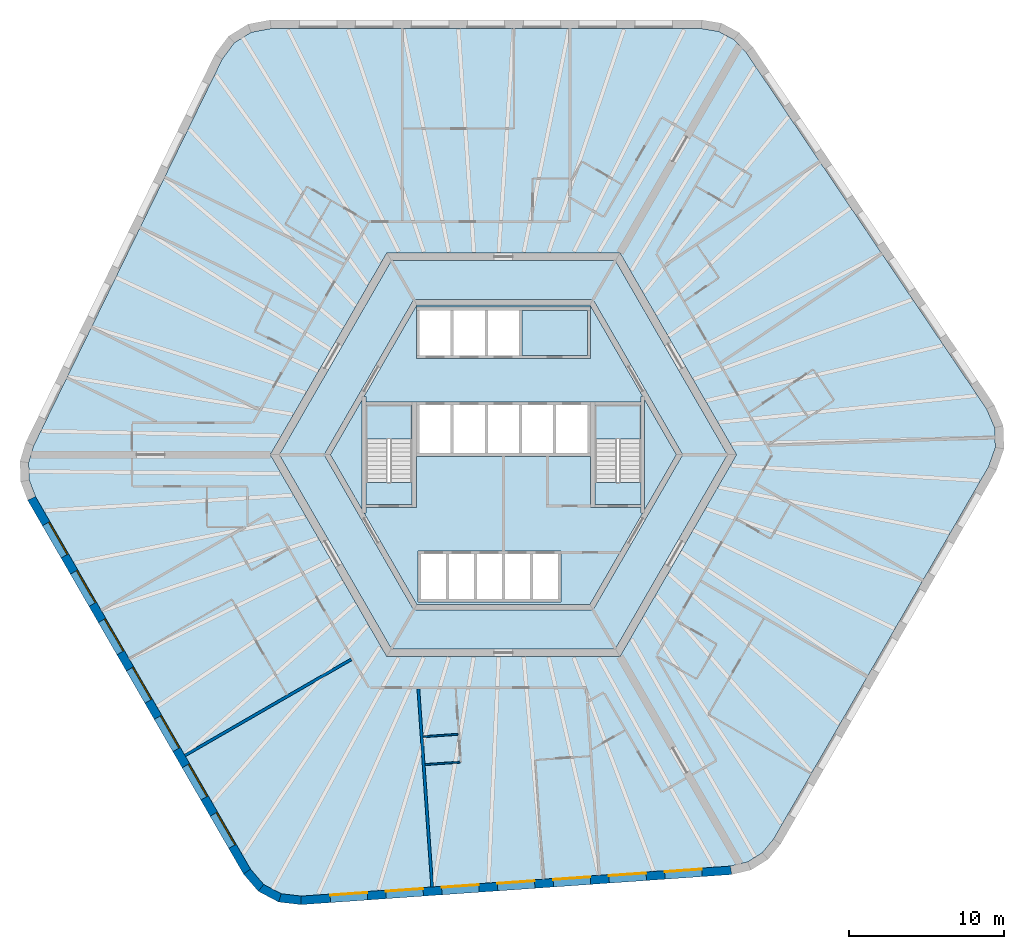
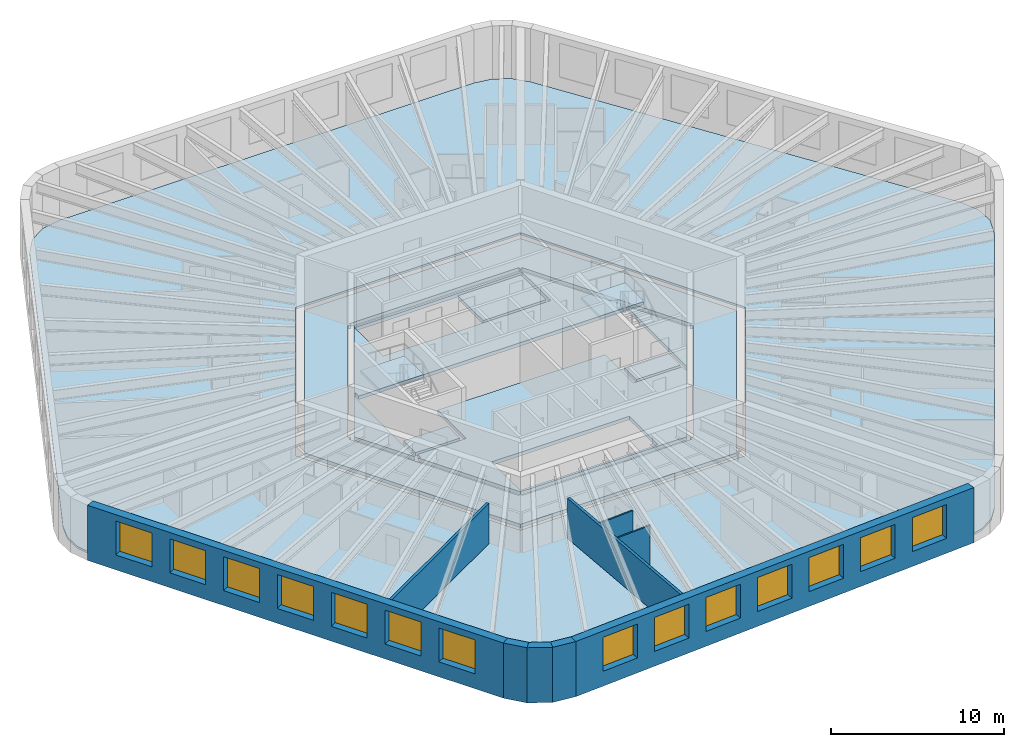
# One storey, part 2 of 10: 14 windows, 11 slabs, 9 walls, 14 openings, 2 elements without a shape of their own.
"""IFC4 building model written with IfcOpenShell, lengths in metres."""

import ifcopenshell
import ifcopenshell.guid

model = None  # the IFC model being written
_history = None  # IfcOwnerHistory: only IFC2X3 demands one
_inside = {}  # id of a spatial element -> (the spatial element, [elements in it])
_under = {}  # id of a project, library or spatial element -> (it, [spatial elements below it])
_declared = {}  # id of a project -> (the project, [libraries it declares])
_typed = {}  # id of a type object -> (the type object, [elements of that type])
_made_of = {}  # id of a material, layer set ... -> (it, [elements and type objects made of it])


def new_model(schema):
    """Start an empty IFC model of exactly this schema.

    Asked for "IFC4X3", IfcOpenShell would pick the latest addendum, in which some entities
    have other attributes; the version numbers below select the first issue.
    IFC2X3 requires an IfcOwnerHistory on every rooted entity: one is made here for all.
    """
    global model, _history
    if schema == "IFC4X3":
        model = ifcopenshell.file(schema_version=(4, 3, 0, 0))
    else:
        model = ifcopenshell.file(schema=schema)
    _inside.clear()
    _under.clear()
    _declared.clear()
    _typed.clear()
    _made_of.clear()
    _history = None
    if model.schema == "IFC2X3":
        org = make("IfcOrganization", Name="unknown")
        user = make(
            "IfcPersonAndOrganization",
            ThePerson=make("IfcPerson", FamilyName="unknown"),
            TheOrganization=org,
        )
        app = make(
            "IfcApplication",
            ApplicationDeveloper=org,
            Version="unknown",
            ApplicationFullName="unknown",
            ApplicationIdentifier="unknown",
        )
        _history = make(
            "IfcOwnerHistory",
            OwningUser=user,
            OwningApplication=app,
            ChangeAction="ADDED",
            CreationDate=0,
        )
    return model


def make(cls, **values):
    """One entity of the class cls with the attributes given. An attribute that is None is left unset."""
    return model.create_entity(
        cls, **{name: value for name, value in values.items() if value is not None}
    )


def rooted(cls, **values):
    """An entity with a GlobalId (a new one), such as an element, a storey or a relation."""
    return make(cls, GlobalId=ifcopenshell.guid.new(), OwnerHistory=_history, **values)


def si_unit(unit_type, name, prefix=None):
    """IfcSIUnit, for example si_unit("LENGTHUNIT", "METRE", prefix="MILLI")."""
    return make("IfcSIUnit", UnitType=unit_type, Prefix=prefix, Name=name)


def assignment(units):
    """IfcUnitAssignment: the units of a project."""
    return None if units is None else make("IfcUnitAssignment", Units=units)


def point(xyz):
    """IfcCartesianPoint."""
    return None if xyz is None else make("IfcCartesianPoint", Coordinates=xyz)


def direction(xyz):
    """IfcDirection."""
    return None if xyz is None else make("IfcDirection", DirectionRatios=xyz)


def frame(location, z_axis=None, x_axis=None):
    """IfcAxis2Placement3D, a coordinate frame: its origin and axes. An axis left out is left unset."""
    return make(
        "IfcAxis2Placement3D",
        Location=point(location),
        Axis=direction(z_axis),
        RefDirection=direction(x_axis),
    )


def frame_2d(location, x_axis=None):
    """IfcAxis2Placement2D, a coordinate frame in the plane: its origin and x axis."""
    return make(
        "IfcAxis2Placement2D", Location=point(location), RefDirection=direction(x_axis)
    )


def origin():
    """The frame at (0, 0, 0) with its axes left unset."""
    return frame((0.0, 0.0, 0.0))


def place(relative_to, where):
    """IfcLocalPlacement: puts the frame where relative to a parent placement (None: the world)."""
    return make(
        "IfcLocalPlacement", PlacementRelTo=relative_to, RelativePlacement=where
    )


def context(
    kind, dimensions, precision=None, world=None, true_north=None, identifier=None
):
    """IfcGeometricRepresentationContext, for example the 3D "Model" context."""
    return make(
        "IfcGeometricRepresentationContext",
        ContextIdentifier=identifier,
        ContextType=kind,
        CoordinateSpaceDimension=dimensions,
        Precision=precision,
        WorldCoordinateSystem=world,
        TrueNorth=true_north,
    )


def subcontext(parent, identifier, kind, view, scale=None):
    """IfcGeometricRepresentationSubContext, for example "Body" below "Model"."""
    return make(
        "IfcGeometricRepresentationSubContext",
        ContextIdentifier=identifier,
        ContextType=kind,
        ParentContext=parent,
        TargetScale=scale,
        TargetView=view,
    )


def project(units=None, contexts=None):
    """IfcProject with its units and contexts."""
    return rooted(
        "IfcProject",
        Name="project",
        RepresentationContexts=contexts,
        UnitsInContext=assignment(units),
    )


def spatial(cls, under=None, at=None, **own):
    """A site, building, storey or space (cls), placed at a placement, below another one or the project."""
    s = rooted(cls, ObjectPlacement=at, **own)
    if under is not None:
        _under.setdefault(under.id(), (under, []))[1].append(s)
    return s


def polyline(points):
    """IfcPolyline through the points."""
    return make("IfcPolyline", Points=[point(p) for p in points])


def profile(cls, at=None, kind="AREA", **sizes):
    """A parametric profile (cls). Its sizes go by their IFC names, for example OverallWidth=200.0."""
    return make(cls, ProfileType=kind, Position=at, **sizes)


def rectangle(**sizes):
    """IfcRectangleProfileDef."""
    return profile("IfcRectangleProfileDef", **sizes)


def outline(outer, holes=None, kind="AREA"):
    """IfcArbitraryClosedProfileDef: a profile drawn as a closed curve; with holes, ...WithVoids."""
    if holes is None:
        return make("IfcArbitraryClosedProfileDef", ProfileType=kind, OuterCurve=outer)
    return make(
        "IfcArbitraryProfileDefWithVoids",
        ProfileType=kind,
        OuterCurve=outer,
        InnerCurves=holes,
    )


def extrude(swept, where, along, depth):
    """IfcExtrudedAreaSolid: the profile swept, set in the frame where, extruded along a direction by depth."""
    return make(
        "IfcExtrudedAreaSolid",
        SweptArea=swept,
        Position=where,
        ExtrudedDirection=direction(along),
        Depth=depth,
    )


def shape(context_of_items, identifier, shape_type, items):
    """IfcShapeRepresentation: the items that make up one representation, for example the "Body"."""
    return make(
        "IfcShapeRepresentation",
        ContextOfItems=context_of_items,
        RepresentationIdentifier=identifier,
        RepresentationType=shape_type,
        Items=items,
    )


def material(Name=None, Category=None):
    """IfcMaterial."""
    return make("IfcMaterial", Name=Name, Category=Category)


def layer(
    of_material, thickness, ventilated=None, Name=None, Category=None, Priority=None
):
    """IfcMaterialLayer: one layer of a wall or slab, of a material (None: an air gap)."""
    return make(
        "IfcMaterialLayer",
        Material=of_material,
        LayerThickness=thickness,
        IsVentilated=ventilated,
        Name=Name,
        Category=Category,
        Priority=Priority,
    )


def layer_set(layers, Name=None):
    """IfcMaterialLayerSet."""
    return make("IfcMaterialLayerSet", MaterialLayers=layers, LayerSetName=Name)


def made_of(thing, what):
    """Note that an element or type object is made of a material, layer set ...; save() writes the relation."""
    if what is not None:
        _made_of.setdefault(what.id(), (what, []))[1].append(thing)
    return thing


def type_object(cls, material=None, **own):
    """A type object (cls), such as IfcWallType, which elements share."""
    return made_of(rooted(cls, **own), material)


def element(
    cls,
    number,
    at=None,
    inside=None,
    cuts=None,
    type_object=None,
    material=None,
    context=None,
    identifier="Body",
    shape_type=None,
    held_by="IfcProductDefinitionShape",
    body=None,
    shapes=None,
    **own,
):
    """One element of the class cls, such as IfcWall. Its Tag is "e" and its number.

    at: its placement. inside: the storey or other place that contains it. cuts: it is an
    opening in that element (IfcRelVoidsElement). A single representation is given by context,
    identifier, shape_type and body (its items); several are given by shapes. held_by: the class
    of the entity that holds the representations. save() writes the other relations.
    """
    e = rooted(cls, Tag="e%d" % number, ObjectPlacement=at, **own)
    if body is not None:
        shapes = [shape(context, identifier, shape_type, body)]
    if shapes is not None:
        e.Representation = make(held_by, Representations=shapes)
    if inside is not None:
        _inside.setdefault(inside.id(), (inside, []))[1].append(e)
    if cuts is not None:
        rooted(
            "IfcRelVoidsElement", RelatingBuildingElement=cuts, RelatedOpeningElement=e
        )
    if type_object is not None:
        _typed.setdefault(type_object.id(), (type_object, []))[1].append(e)
    return made_of(e, material)


def fill(opening, filler):
    """IfcRelFillsElement: the door or window that sits in an opening."""
    return rooted(
        "IfcRelFillsElement",
        RelatingOpeningElement=opening,
        RelatedBuildingElement=filler,
    )


def aggregate(whole, parts):
    """IfcRelAggregates: a whole, such as a stair, and the parts it consists of."""
    return rooted("IfcRelAggregates", RelatingObject=whole, RelatedObjects=parts)


def save(model, path):
    """Write the relations noted so far, then the file.

    IfcRelAggregates (storeys below a building ...), IfcRelContainedInSpatialStructure (elements
    in a storey), IfcRelDefinesByType, IfcRelAssociatesMaterial and IfcRelDeclares: one each for
    every whole, place, type object, material and project.
    """
    for whole, parts in _under.values():
        aggregate(whole, parts)
    for where, things in _inside.values():
        rooted(
            "IfcRelContainedInSpatialStructure",
            RelatedElements=things,
            RelatingStructure=where,
        )
    for kind, things in _typed.values():
        rooted("IfcRelDefinesByType", RelatedObjects=things, RelatingType=kind)
    for what, things in _made_of.values():
        rooted("IfcRelAssociatesMaterial", RelatedObjects=things, RelatingMaterial=what)
    for by, libraries in _declared.values():
        rooted("IfcRelDeclares", RelatingContext=by, RelatedDefinitions=libraries)
    model.write(path)


model = new_model("IFC4")

# Units and contexts
model_context = context("Model", 3, precision=1e-05, world=origin(), true_north=direction((0.0, 1.0)))
body_context = subcontext(model_context, "Body", "Model", "MODEL_VIEW")
ifc_project = project(units=[si_unit("LENGTHUNIT", "METRE"), si_unit("AREAUNIT", "SQUARE_METRE"), si_unit("VOLUMEUNIT", "CUBIC_METRE"), si_unit("PLANEANGLEUNIT", "RADIAN"), si_unit("MASSUNIT", "GRAM", prefix="KILO")], contexts=[model_context])

# Site, building, storey
site_placement = place(None, origin())
site = spatial("IfcSite", under=ifc_project, at=site_placement, CompositionType="ELEMENT")
building_placement = place(site_placement, origin())
building = spatial("IfcBuilding", under=site, at=building_placement, Name="Tarnside Tower", CompositionType="ELEMENT")
storey_placement = place(building_placement, frame((0.0, 0.0, 242.39990234375)))
storey = spatial("IfcBuildingStorey", under=building, at=storey_placement, Name="L58", CompositionType="ELEMENT", Elevation=242.39990234375)

# Slabs
ifc_material_1 = material(Name="Concrete C35/45", Category="concrete")
ifc_layer_1 = layer(ifc_material_1, 0.14990234375)
ifc_layer_set_1 = layer_set([ifc_layer_1], Name="Composite floor slab 150")
slab_type_1 = type_object("IfcSlabType", Name="Composite floor slab 150", PredefinedType="FLOOR", material=ifc_layer_set_1)
slab_1_placement = place(storey_placement, frame((0.0, 0.0, -0.14990234375)))
element("IfcSlab", 1, at=slab_1_placement, inside=storey, type_object=slab_type_1, Name="Floor slab L58", PredefinedType="FLOOR", context=body_context, shape_type="SweptSolid", body=[
    extrude(outline(polyline([(13.864013671875, 27.264892578125), (14.85107421875, 26.740234375), (15.6337890625, 25.91064453125), (31.12890625, 2.938232421875), (31.644287109375, 1.7431640625), (31.68896484375, 0.468505859375), (31.258056640625, -0.759521484375), (17.403076171875, -24.7568359375), (16.68017578125, -25.63916015625), (15.732177734375, -26.2314453125), (14.622314453125, -26.494384765625), (-13.02001953125, -28.427490234375), (-14.3125, -28.2763671875), (-15.438720703125, -27.677490234375), (-16.286865234375, -26.6904296875), (-30.1416015625, -2.693115234375), (-30.544189453125, -1.6259765625), (-30.583251953125, -0.5087890625), (-30.256103515625, 0.583984375), (-18.10888671875, 25.4892578125), (-17.331787109375, 26.533203125), (-16.250244140625, 27.208984375), (-14.97119140625, 27.449951171875), (12.738525390625, 27.449951171875), (13.864013671875, 27.264892578125)]), holes=[polyline([(-15.010986328125, 0.0), (-7.505615234375, -13.0), (7.505615234375, -13.0), (15.010986328125, 0.0), (7.505615234375, 13.0), (-7.505615234375, 13.0), (-15.010986328125, 0.0)])]), origin(), (0.0, 0.0, 1.0), 0.14990234375),
])
ifc_material_2 = material(Name="Concrete C40/50", Category="concrete")
ifc_layer_2 = layer(ifc_material_2, 0.25)
ifc_layer_set_2 = layer_set([ifc_layer_2], Name="Core slab C40/50")
slab_type_2 = type_object("IfcSlabType", Name="Core slab C40/50", PredefinedType="FLOOR", material=ifc_layer_set_2)
slab_2_placement = place(storey_placement, frame((0.0, 0.0, -0.25)))
element("IfcSlab", 2, at=slab_2_placement, inside=storey, type_object=slab_type_2, Name="L58 core floor slab 1", PredefinedType="FLOOR", context=body_context, shape_type="SweptSolid", body=[
    extrude(outline(polyline([(-7.216796875, 12.5), (7.216796875, 12.5), (14.433837890625, 0.0), (7.216796875, -12.5), (-7.216796875, -12.5), (-14.433837890625, 0.0), (-7.216796875, 12.5)]), holes=[polyline([(5.823974609375, -9.91259765625), (11.49658203125, -0.08740234375), (11.344970703125, 0.0), (11.49658203125, 0.08740234375), (5.823974609375, 9.91259765625), (5.672607421875, 9.824951171875), (5.672607421875, 10.0), (-5.672607421875, 10.0), (-5.672607421875, 9.824951171875), (-5.823974609375, 9.91259765625), (-11.49658203125, 0.08740234375), (-11.344970703125, 0.0), (-11.49658203125, -0.08740234375), (-5.823974609375, -9.91259765625), (-5.672607421875, -9.824951171875), (-5.672607421875, -10.0), (5.672607421875, -10.0), (5.672607421875, -9.824951171875), (5.823974609375, -9.91259765625)])]), origin(), (0.0, 0.0, 1.0), 0.25),
])
slab_3_placement = place(storey_placement, frame((0.0, 0.0, -0.25)))
element("IfcSlab", 3, at=slab_3_placement, inside=storey, type_object=slab_type_2, Name="L58 core floor slab 2", PredefinedType="FLOOR", context=body_context, shape_type="SweptSolid", body=[
    extrude(outline(polyline([(-8.97509765625, 3.7548828125), (-5.5712890625, 9.64990234375), (5.5712890625, 9.64990234375), (8.97509765625, 3.7548828125), (8.85009765625, 3.7548828125), (8.85009765625, 3.39990234375), (5.89990234375, 3.39990234375), (5.60009765625, 3.39990234375), (5.60009765625, 3.39990234375), (-5.60009765625, 3.39990234375), (-5.89990234375, 3.39990234375), (-8.85009765625, 3.39990234375), (-8.85009765625, 3.7548828125), (-8.97509765625, 3.7548828125)]), holes=[polyline([(-5.60009765625, 6.199951171875), (5.60009765625, 6.199951171875), (5.60009765625, 6.39990234375), (5.60009765625, 9.300048828125), (5.60009765625, 9.5), (-5.60009765625, 9.5), (-5.60009765625, 9.300048828125), (-5.60009765625, 6.39990234375), (-5.60009765625, 6.199951171875)])]), origin(), (0.0, 0.0, 1.0), 0.25),
])
slab_4_placement = place(storey_placement, frame((0.0, 0.0, -0.25)))
element("IfcSlab", 4, at=slab_4_placement, inside=storey, type_object=slab_type_2, Name="L58 core floor slab 3", PredefinedType="FLOOR", context=body_context, shape_type="SweptSolid", body=[
    extrude(outline(polyline([(5.60009765625, -3.39990234375), (5.89990234375, -3.39990234375), (8.85009765625, -3.39990234375), (8.85009765625, -3.7548828125), (8.97509765625, -3.7548828125), (5.5712890625, -9.64990234375), (-5.5712890625, -9.64990234375), (-8.97509765625, -3.7548828125), (-8.85009765625, -3.7548828125), (-8.85009765625, -3.39990234375), (-5.89990234375, -3.39990234375), (-5.60009765625, -3.39990234375), (-5.60009765625, -0.10009765625), (5.60009765625, -0.10009765625), (5.60009765625, -3.39990234375)]), holes=[polyline([(-5.5, -9.300048828125), (-5.5, -9.5), (3.699951171875, -9.5), (3.699951171875, -9.300048828125), (3.699951171875, -6.39990234375), (3.699951171875, -6.199951171875), (-5.5, -6.199951171875), (-5.5, -6.39990234375), (-5.5, -9.300048828125)])]), origin(), (0.0, 0.0, 1.0), 0.25),
])
slab_5_placement = place(storey_placement, frame((0.0, 0.0, -0.25)))
element("IfcSlab", 5, at=slab_5_placement, inside=storey, type_object=slab_type_2, Name="L58 core floor slab 4", PredefinedType="FLOOR", context=body_context, shape_type="SweptSolid", body=[
    extrude(outline(polyline([(-11.142822265625, 0.0), (-9.10009765625, 3.538330078125), (-9.10009765625, -3.538330078125), (-11.142822265625, 0.0)])), origin(), (0.0, 0.0, 1.0), 0.25),
])
slab_6_placement = place(storey_placement, frame((0.0, 0.0, -0.25)))
element("IfcSlab", 6, at=slab_6_placement, inside=storey, type_object=slab_type_2, Name="L58 core floor slab 5", PredefinedType="FLOOR", context=body_context, shape_type="SweptSolid", body=[
    extrude(outline(polyline([(-8.85009765625, -1.800048828125), (-5.89990234375, -1.800048828125), (-5.89990234375, -3.199951171875), (-8.85009765625, -3.199951171875), (-8.85009765625, -1.800048828125)])), origin(), (0.0, 0.0, 1.0), 0.25),
])
slab_7_placement = place(storey_placement, frame((0.0, 0.0, -0.25)))
element("IfcSlab", 7, at=slab_7_placement, inside=storey, type_object=slab_type_2, Name="L58 core floor slab 6", PredefinedType="FLOOR", context=body_context, shape_type="SweptSolid", body=[
    extrude(outline(polyline([(5.89990234375, -3.199951171875), (5.89990234375, -1.800048828125), (8.85009765625, -1.800048828125), (8.85009765625, -3.199951171875), (5.89990234375, -3.199951171875)])), origin(), (0.0, 0.0, 1.0), 0.25),
])
slab_8_placement = place(storey_placement, frame((0.0, 0.0, -0.25)))
element("IfcSlab", 8, at=slab_8_placement, inside=storey, type_object=slab_type_2, Name="L58 core floor slab 7", PredefinedType="FLOOR", context=body_context, shape_type="SweptSolid", body=[
    extrude(outline(polyline([(9.10009765625, -3.538330078125), (9.10009765625, 3.538330078125), (11.142822265625, 0.0), (9.10009765625, -3.538330078125)])), origin(), (0.0, 0.0, 1.0), 0.25),
])
slab_9_placement = place(storey_placement, frame((0.0, 0.0, -0.25)))
element("IfcSlab", 9, at=slab_9_placement, inside=storey, type_object=slab_type_2, Name="L58 core floor slab 8", PredefinedType="FLOOR", context=body_context, shape_type="SweptSolid", body=[
    extrude(outline(polyline([(5.39990234375, 9.300048828125), (5.39990234375, 6.39990234375), (1.199951171875, 6.39990234375), (1.199951171875, 9.300048828125), (5.39990234375, 9.300048828125)])), origin(), (0.0, 0.0, 1.0), 0.25),
])

# Stair, slab
stair_type = type_object("IfcStairType", Name="Exit stair 1400 clear", PredefinedType="HALF_TURN_STAIR", material=ifc_material_2)
stair_1_placement = place(storey_placement, origin())
stair_1 = element("IfcStair", 10, at=stair_1_placement, inside=storey, type_object=stair_type, Name="L58 Exit stair 1", PredefinedType="HALF_TURN_STAIR")
ifc_layer_3 = layer(ifc_material_2, 0.199951171875)
ifc_layer_set_3 = layer_set([ifc_layer_3], Name="Stair landing 200 C40/50")
slab_type_3 = type_object("IfcSlabType", Name="Stair landing 200 C40/50", PredefinedType="LANDING", material=ifc_layer_set_3)
slab_10_placement = place(storey_placement, frame((0.0, 0.0, 1.75)))
slab_10 = element("IfcSlab", 11, at=slab_10_placement, type_object=slab_type_3, Name="ST1 landing 1", PredefinedType="LANDING", context=body_context, shape_type="SweptSolid", body=[
    extrude(outline(polyline([(8.85009765625, 1.0), (8.85009765625, 3.199951171875), (5.89990234375, 3.199951171875), (5.89990234375, 1.0), (8.85009765625, 1.0)])), origin(), (0.0, 0.0, 1.0), 0.2001953125),
])
aggregate(stair_1, [slab_10])

stair_2_placement = place(storey_placement, origin())
stair_2 = element("IfcStair", 12, at=stair_2_placement, inside=storey, type_object=stair_type, Name="L58 Exit stair 2", PredefinedType="HALF_TURN_STAIR")
slab_11_placement = place(storey_placement, frame((0.0, 0.0, 1.75)))
slab_11 = element("IfcSlab", 13, at=slab_11_placement, type_object=slab_type_3, Name="ST2 landing 1", PredefinedType="LANDING", context=body_context, shape_type="SweptSolid", body=[
    extrude(outline(polyline([(-5.89990234375, 1.0), (-5.89990234375, 3.199951171875), (-8.85009765625, 3.199951171875), (-8.85009765625, 1.0), (-5.89990234375, 1.0)])), origin(), (0.0, 0.0, 1.0), 0.2001953125),
])
aggregate(stair_2, [slab_11])

# Walls
ifc_material_3 = material(Name="Gypsum board partition on steel studs", Category="steel")
ifc_layer_4 = layer(ifc_material_3, 0.10009765625)
ifc_layer_set_4 = layer_set([ifc_layer_4], Name="Bathroom wall 100")
wall_type_1 = type_object("IfcWallType", Name="Bathroom wall 100", PredefinedType="PARTITIONING", material=ifc_layer_set_4)
wall_1_placement = place(storey_placement, frame((-5.173583984375, -18.16357421875, 0.0), z_axis=(0.0, 0.0, 1.0), x_axis=(0.997562351999, 0.069780755754, 0.0)))
element("IfcWall", 14, at=wall_1_placement, inside=storey, type_object=wall_type_1, Name="Bathroom wall 19095", PredefinedType="PARTITIONING", context=body_context, shape_type="SweptSolid", body=[
    extrude(rectangle(XDim=2.26025390625, YDim=0.10009765625, at=frame_2d((1.130126953125, 0.0))), origin(), (0.0, 0.0, 1.0), 2.837890625),
])
ifc_layer_5 = layer(ifc_material_3, 0.179931640625)
ifc_layer_set_5 = layer_set([ifc_layer_5], Name="Demising wall 180 EI 60")
wall_type_2 = type_object("IfcWallType", Name="Demising wall 180 EI 60", PredefinedType="PARTITIONING", material=ifc_layer_set_5)
wall_2_placement = place(storey_placement, frame((-20.513427734375, -19.36962890625, 0.0), z_axis=(0.0, 0.0, 1.0), x_axis=(0.866024931941, 0.500000817256, 0.0)))
element("IfcWall", 15, at=wall_2_placement, inside=storey, type_object=wall_type_2, Name="Demising wall 19083", PredefinedType="PARTITIONING", context=body_context, shape_type="SweptSolid", body=[
    extrude(rectangle(XDim=12.375, YDim=0.179931640625, at=frame_2d((6.1875, 0.0))), origin(), (0.0, 0.0, 1.0), 2.837890625),
])
wall_3_placement = place(storey_placement, frame((-4.587158203125, -27.837890625, 0.0), z_axis=(0.0, 0.0, 1.0), x_axis=(-0.069764754112, 0.997563471206, 0.0)))
element("IfcWall", 16, at=wall_3_placement, inside=storey, type_object=wall_type_2, Name="Demising wall 19085", PredefinedType="PARTITIONING", context=body_context, shape_type="SweptSolid", body=[
    extrude(rectangle(XDim=12.794189453125, YDim=0.179931640625, at=frame_2d((6.39697265625, 0.0))), origin(), (0.0, 0.0, 1.0), 2.837890625),
])
ifc_layer_6 = layer(ifc_material_3, 0.10009765625)
ifc_layer_set_6 = layer_set([ifc_layer_6], Name="Partition 100")
wall_type_3 = type_object("IfcWallType", Name="Partition 100", PredefinedType="PARTITIONING", material=ifc_layer_set_6)
wall_4_placement = place(storey_placement, frame((-2.79345703125, -19.801513671875, 0.0), z_axis=(0.0, 0.0, 1.0), x_axis=(-0.997562351999, -0.069780755754, 0.0)))
element("IfcWall", 17, at=wall_4_placement, inside=storey, type_object=wall_type_3, Name="Partition wall 19090", PredefinedType="PARTITIONING", context=body_context, shape_type="SweptSolid", body=[
    extrude(rectangle(XDim=2.26025390625, YDim=0.10009765625, at=frame_2d((1.130126953125, 0.0))), origin(), (0.0, 0.0, 1.0), 2.837890625),
])

# Wall, openings, windows
ifc_material_4 = material(Name="Facing brick", Category="masonry")
ifc_layer_7 = layer(ifc_material_4, 0.10205078125)
ifc_material_5 = material(Name="Concrete C60/75 precast", Category="concrete")
ifc_layer_8 = layer(ifc_material_5, 0.347900390625)
ifc_material_6 = material(Name="Mineral wool insulation")
ifc_layer_9 = layer(ifc_material_6, 0.10009765625)
ifc_layer_set_7 = layer_set([ifc_layer_7, ifc_layer_8, ifc_layer_9], Name="Tube wall 550 brick faced")
wall_type_4 = type_object("IfcWallType", Name="Tube wall 550 brick faced", PredefinedType="SOLIDWALL", material=ifc_layer_set_7)
wall_5_placement = place(storey_placement, frame((-30.39111328125, -2.81103515625, -0.14990234375), z_axis=(0.0, 0.0, 1.0), x_axis=(0.499998569178, -0.866026229868, 0.0)))
wall_5 = element("IfcWall", 18, at=wall_5_placement, inside=storey, type_object=wall_type_4, Name="Tube wall L58 F3 flush 08", PredefinedType="SOLIDWALL", context=body_context, shape_type="SweptSolid", body=[
    extrude(outline(polyline([(-0.0224609375, -0.27490234375), (27.783447265625, -0.27490234375), (27.732177734375, 0.27490234375), (0.0224609375, 0.27490234375), (-0.0224609375, -0.27490234375)])), origin(), (0.0, 0.0, 1.0), 3.89990234375),
])
opening_1_placement = place(wall_5_placement, frame((1.87890625, 0.0, 1.050048828125)))
opening_1 = element("IfcOpeningElement", 19, at=opening_1_placement, cuts=wall_5, Name="Opening WH", PredefinedType="OPENING", context=body_context, shape_type="SweptSolid", body=[
    extrude(rectangle(XDim=2.39990234375, YDim=2.39990234375, at=frame_2d((1.199951171875, 1.199951171875))), frame((0.0, 0.28515625, 0.0), z_axis=(0.0, -1.0, 0.0), x_axis=(1.0, 0.0, 0.0)), (0.0, 0.0, 1.0), 0.570068359375),
])
opening_2_placement = place(wall_5_placement, frame((5.47900390625, 0.0, 1.050048828125)))
opening_2 = element("IfcOpeningElement", 20, at=opening_2_placement, cuts=wall_5, Name="Opening WH", PredefinedType="OPENING", context=body_context, shape_type="SweptSolid", body=[
    extrude(rectangle(XDim=2.39990234375, YDim=2.39990234375, at=frame_2d((1.199951171875, 1.199951171875))), frame((0.0, 0.28515625, 0.0), z_axis=(0.0, -1.0, 0.0), x_axis=(1.0, 0.0, 0.0)), (0.0, 0.0, 1.0), 0.570068359375),
])
opening_3_placement = place(wall_5_placement, frame((9.078857421875, 0.0, 1.050048828125)))
opening_3 = element("IfcOpeningElement", 21, at=opening_3_placement, cuts=wall_5, Name="Opening WH", PredefinedType="OPENING", context=body_context, shape_type="SweptSolid", body=[
    extrude(rectangle(XDim=2.39990234375, YDim=2.39990234375, at=frame_2d((1.199951171875, 1.199951171875))), frame((0.0, 0.28515625, 0.0), z_axis=(0.0, -1.0, 0.0), x_axis=(1.0, 0.0, 0.0)), (0.0, 0.0, 1.0), 0.570068359375),
])
opening_4_placement = place(wall_5_placement, frame((12.678955078125, 0.0, 1.050048828125)))
opening_4 = element("IfcOpeningElement", 22, at=opening_4_placement, cuts=wall_5, Name="Opening WH", PredefinedType="OPENING", context=body_context, shape_type="SweptSolid", body=[
    extrude(rectangle(XDim=2.39990234375, YDim=2.39990234375, at=frame_2d((1.199951171875, 1.199951171875))), frame((0.0, 0.28515625, 0.0), z_axis=(0.0, -1.0, 0.0), x_axis=(1.0, 0.0, 0.0)), (0.0, 0.0, 1.0), 0.570068359375),
])
opening_5_placement = place(wall_5_placement, frame((16.27880859375, 0.0, 1.050048828125)))
opening_5 = element("IfcOpeningElement", 23, at=opening_5_placement, cuts=wall_5, Name="Opening WH", PredefinedType="OPENING", context=body_context, shape_type="SweptSolid", body=[
    extrude(rectangle(XDim=2.39990234375, YDim=2.39990234375, at=frame_2d((1.199951171875, 1.199951171875))), frame((0.0, 0.28515625, 0.0), z_axis=(0.0, -1.0, 0.0), x_axis=(1.0, 0.0, 0.0)), (0.0, 0.0, 1.0), 0.570068359375),
])
opening_6_placement = place(wall_5_placement, frame((19.87890625, 0.0, 1.050048828125)))
opening_6 = element("IfcOpeningElement", 24, at=opening_6_placement, cuts=wall_5, Name="Opening WH", PredefinedType="OPENING", context=body_context, shape_type="SweptSolid", body=[
    extrude(rectangle(XDim=2.39990234375, YDim=2.39990234375, at=frame_2d((1.199951171875, 1.199951171875))), frame((0.0, 0.28515625, 0.0), z_axis=(0.0, -1.0, 0.0), x_axis=(1.0, 0.0, 0.0)), (0.0, 0.0, 1.0), 0.570068359375),
])
opening_7_placement = place(wall_5_placement, frame((23.47900390625, 0.0, 1.050048828125)))
opening_7 = element("IfcOpeningElement", 25, at=opening_7_placement, cuts=wall_5, Name="Opening WH", PredefinedType="OPENING", context=body_context, shape_type="SweptSolid", body=[
    extrude(rectangle(XDim=2.39990234375, YDim=2.39990234375, at=frame_2d((1.199951171875, 1.199951171875))), frame((0.0, 0.28515625, 0.0), z_axis=(0.0, -1.0, 0.0), x_axis=(1.0, 0.0, 0.0)), (0.0, 0.0, 1.0), 0.570068359375),
])
ifc_material_7 = material(Name="Aluminium-framed double glazing", Category="aluminium")
window_type = type_object("IfcWindowType", Name="Hotel window 2400 x 2400", PartitioningType="DOUBLE_PANEL_VERTICAL", PredefinedType="WINDOW", material=ifc_material_7)
window_1_placement = place(opening_1_placement, frame((0.0, 0.205078125, 0.0)))
window_1 = element("IfcWindow", 26, at=window_1_placement, inside=storey, type_object=window_type, Name="E.WN.L58.F3.00", OverallHeight=2.39990234375, OverallWidth=2.39990234375, PartitioningType="DOUBLE_PANEL_VERTICAL", PredefinedType="WINDOW", context=body_context, shape_type="SweptSolid", body=[
    extrude(rectangle(XDim=2.39990234375, YDim=2.39990234375, at=frame_2d((1.199951171875, 1.199951171875))), frame((0.0, 0.030029296875, 0.0), z_axis=(0.0, -1.0, 0.0), x_axis=(1.0, 0.0, 0.0)), (0.0, 0.0, 1.0), 0.06005859375),
])
fill(opening_1, window_1)
window_2_placement = place(opening_2_placement, frame((0.0, 0.205078125, 0.0)))
window_2 = element("IfcWindow", 27, at=window_2_placement, inside=storey, type_object=window_type, Name="E.WN.L58.F3.01", OverallHeight=2.39990234375, OverallWidth=2.39990234375, PartitioningType="DOUBLE_PANEL_VERTICAL", PredefinedType="WINDOW", context=body_context, shape_type="SweptSolid", body=[
    extrude(rectangle(XDim=2.39990234375, YDim=2.39990234375, at=frame_2d((1.199951171875, 1.199951171875))), frame((0.0, 0.030029296875, 0.0), z_axis=(0.0, -1.0, 0.0), x_axis=(1.0, 0.0, 0.0)), (0.0, 0.0, 1.0), 0.06005859375),
])
fill(opening_2, window_2)
window_3_placement = place(opening_3_placement, frame((0.0, 0.205078125, 0.0)))
window_3 = element("IfcWindow", 28, at=window_3_placement, inside=storey, type_object=window_type, Name="E.WN.L58.F3.02", OverallHeight=2.39990234375, OverallWidth=2.39990234375, PartitioningType="DOUBLE_PANEL_VERTICAL", PredefinedType="WINDOW", context=body_context, shape_type="SweptSolid", body=[
    extrude(rectangle(XDim=2.39990234375, YDim=2.39990234375, at=frame_2d((1.199951171875, 1.199951171875))), frame((0.0, 0.030029296875, 0.0), z_axis=(0.0, -1.0, 0.0), x_axis=(1.0, 0.0, 0.0)), (0.0, 0.0, 1.0), 0.06005859375),
])
fill(opening_3, window_3)
window_4_placement = place(opening_4_placement, frame((0.0, 0.205078125, 0.0)))
window_4 = element("IfcWindow", 29, at=window_4_placement, inside=storey, type_object=window_type, Name="E.WN.L58.F3.03", OverallHeight=2.39990234375, OverallWidth=2.39990234375, PartitioningType="DOUBLE_PANEL_VERTICAL", PredefinedType="WINDOW", context=body_context, shape_type="SweptSolid", body=[
    extrude(rectangle(XDim=2.39990234375, YDim=2.39990234375, at=frame_2d((1.199951171875, 1.199951171875))), frame((0.0, 0.030029296875, 0.0), z_axis=(0.0, -1.0, 0.0), x_axis=(1.0, 0.0, 0.0)), (0.0, 0.0, 1.0), 0.06005859375),
])
fill(opening_4, window_4)
window_5_placement = place(opening_5_placement, frame((0.0, 0.205078125, 0.0)))
window_5 = element("IfcWindow", 30, at=window_5_placement, inside=storey, type_object=window_type, Name="E.WN.L58.F3.04", OverallHeight=2.39990234375, OverallWidth=2.39990234375, PartitioningType="DOUBLE_PANEL_VERTICAL", PredefinedType="WINDOW", context=body_context, shape_type="SweptSolid", body=[
    extrude(rectangle(XDim=2.39990234375, YDim=2.39990234375, at=frame_2d((1.199951171875, 1.199951171875))), frame((0.0, 0.030029296875, 0.0), z_axis=(0.0, -1.0, 0.0), x_axis=(1.0, 0.0, 0.0)), (0.0, 0.0, 1.0), 0.06005859375),
])
fill(opening_5, window_5)
window_6_placement = place(opening_6_placement, frame((0.0, 0.205078125, 0.0)))
window_6 = element("IfcWindow", 31, at=window_6_placement, inside=storey, type_object=window_type, Name="E.WN.L58.F3.05", OverallHeight=2.39990234375, OverallWidth=2.39990234375, PartitioningType="DOUBLE_PANEL_VERTICAL", PredefinedType="WINDOW", context=body_context, shape_type="SweptSolid", body=[
    extrude(rectangle(XDim=2.39990234375, YDim=2.39990234375, at=frame_2d((1.199951171875, 1.199951171875))), frame((0.0, 0.030029296875, 0.0), z_axis=(0.0, -1.0, 0.0), x_axis=(1.0, 0.0, 0.0)), (0.0, 0.0, 1.0), 0.06005859375),
])
fill(opening_6, window_6)
window_7_placement = place(opening_7_placement, frame((0.0, 0.205078125, 0.0)))
window_7 = element("IfcWindow", 32, at=window_7_placement, inside=storey, type_object=window_type, Name="E.WN.L58.F3.06", OverallHeight=2.39990234375, OverallWidth=2.39990234375, PartitioningType="DOUBLE_PANEL_VERTICAL", PredefinedType="WINDOW", context=body_context, shape_type="SweptSolid", body=[
    extrude(rectangle(XDim=2.39990234375, YDim=2.39990234375, at=frame_2d((1.199951171875, 1.199951171875))), frame((0.0, 0.030029296875, 0.0), z_axis=(0.0, -1.0, 0.0), x_axis=(1.0, 0.0, 0.0)), (0.0, 0.0, 1.0), 0.06005859375),
])
fill(opening_7, window_7)

# Walls
wall_6_placement = place(storey_placement, frame((-16.51220703125, -26.85009765625, -0.14990234375), z_axis=(0.0, 0.0, 1.0), x_axis=(0.651621950847, -0.758543890078, 0.0)))
element("IfcWall", 33, at=wall_6_placement, inside=storey, type_object=wall_type_4, Name="Tube wall L58 F3 chord 09", PredefinedType="SOLIDWALL", context=body_context, shape_type="SweptSolid", body=[
    extrude(outline(polyline([(-0.025634765625, -0.27490234375), (1.430908203125, -0.27490234375), (1.327392578125, 0.27490234375), (0.025634765625, 0.27490234375), (-0.025634765625, -0.27490234375)])), origin(), (0.0, 0.0, 1.0), 3.89990234375),
])
wall_7_placement = place(storey_placement, frame((-15.613525390625, -27.896240234375, -0.14990234375), z_axis=(0.0, 0.0, 1.0), x_axis=(0.882994189209, -0.469383917304, 0.0)))
element("IfcWall", 34, at=wall_7_placement, inside=storey, type_object=wall_type_4, Name="Tube wall L58 F3 chord 10", PredefinedType="SOLIDWALL", context=body_context, shape_type="SweptSolid", body=[
    extrude(outline(polyline([(-0.0517578125, -0.27490234375), (1.4306640625, -0.27490234375), (1.3271484375, 0.27490234375), (0.0517578125, 0.27490234375), (-0.0517578125, -0.27490234375)])), origin(), (0.0, 0.0, 1.0), 3.89990234375),
])
wall_8_placement = place(storey_placement, frame((-14.39599609375, -28.54345703125, -0.14990234375), z_axis=(0.0, 0.0, 1.0), x_axis=(0.993232537394, -0.11614269956, 0.0)))
element("IfcWall", 35, at=wall_8_placement, inside=storey, type_object=wall_type_4, Name="Tube wall L58 F3 chord 11", PredefinedType="SOLIDWALL", context=body_context, shape_type="SweptSolid", body=[
    extrude(outline(polyline([(-0.0517578125, -0.27490234375), (1.404541015625, -0.27490234375), (1.353271484375, 0.27490234375), (0.0517578125, 0.27490234375), (-0.0517578125, -0.27490234375)])), origin(), (0.0, 0.0, 1.0), 3.89990234375),
])

# Wall, openings, windows
wall_9_placement = place(storey_placement, frame((-13.0263671875, -28.70361328125, -0.14990234375), z_axis=(0.0, 0.0, 1.0), x_axis=(0.99756406806, 0.069756219185, 0.0)))
wall_9 = element("IfcWall", 36, at=wall_9_placement, inside=storey, type_object=wall_type_4, Name="Tube wall L58 F4 flush 12", PredefinedType="SOLIDWALL", context=body_context, shape_type="SweptSolid", body=[
    extrude(outline(polyline([(-0.025634765625, -0.27490234375), (27.7802734375, -0.27490234375), (27.7353515625, 0.27490234375), (0.025634765625, 0.27490234375), (-0.025634765625, -0.27490234375)])), origin(), (0.0, 0.0, 1.0), 3.89990234375),
])
opening_8_placement = place(wall_9_placement, frame((1.87890625, 0.0, 1.050048828125)))
opening_8 = element("IfcOpeningElement", 37, at=opening_8_placement, cuts=wall_9, Name="Opening WH", PredefinedType="OPENING", context=body_context, shape_type="SweptSolid", body=[
    extrude(rectangle(XDim=2.39990234375, YDim=2.39990234375, at=frame_2d((1.199951171875, 1.199951171875))), frame((0.0, 0.28515625, 0.0), z_axis=(0.0, -1.0, 0.0), x_axis=(1.0, 0.0, 0.0)), (0.0, 0.0, 1.0), 0.570068359375),
])
opening_9_placement = place(wall_9_placement, frame((5.47900390625, 0.0, 1.050048828125)))
opening_9 = element("IfcOpeningElement", 38, at=opening_9_placement, cuts=wall_9, Name="Opening WH", PredefinedType="OPENING", context=body_context, shape_type="SweptSolid", body=[
    extrude(rectangle(XDim=2.39990234375, YDim=2.39990234375, at=frame_2d((1.199951171875, 1.199951171875))), frame((0.0, 0.28515625, 0.0), z_axis=(0.0, -1.0, 0.0), x_axis=(1.0, 0.0, 0.0)), (0.0, 0.0, 1.0), 0.570068359375),
])
opening_10_placement = place(wall_9_placement, frame((9.078857421875, 0.0, 1.050048828125)))
opening_10 = element("IfcOpeningElement", 39, at=opening_10_placement, cuts=wall_9, Name="Opening WH", PredefinedType="OPENING", context=body_context, shape_type="SweptSolid", body=[
    extrude(rectangle(XDim=2.39990234375, YDim=2.39990234375, at=frame_2d((1.199951171875, 1.199951171875))), frame((0.0, 0.28515625, 0.0), z_axis=(0.0, -1.0, 0.0), x_axis=(1.0, 0.0, 0.0)), (0.0, 0.0, 1.0), 0.570068359375),
])
opening_11_placement = place(wall_9_placement, frame((12.678955078125, 0.0, 1.050048828125)))
opening_11 = element("IfcOpeningElement", 40, at=opening_11_placement, cuts=wall_9, Name="Opening WH", PredefinedType="OPENING", context=body_context, shape_type="SweptSolid", body=[
    extrude(rectangle(XDim=2.39990234375, YDim=2.39990234375, at=frame_2d((1.199951171875, 1.199951171875))), frame((0.0, 0.28515625, 0.0), z_axis=(0.0, -1.0, 0.0), x_axis=(1.0, 0.0, 0.0)), (0.0, 0.0, 1.0), 0.570068359375),
])
opening_12_placement = place(wall_9_placement, frame((16.27880859375, 0.0, 1.050048828125)))
opening_12 = element("IfcOpeningElement", 41, at=opening_12_placement, cuts=wall_9, Name="Opening WH", PredefinedType="OPENING", context=body_context, shape_type="SweptSolid", body=[
    extrude(rectangle(XDim=2.39990234375, YDim=2.39990234375, at=frame_2d((1.199951171875, 1.199951171875))), frame((0.0, 0.28515625, 0.0), z_axis=(0.0, -1.0, 0.0), x_axis=(1.0, 0.0, 0.0)), (0.0, 0.0, 1.0), 0.570068359375),
])
opening_13_placement = place(wall_9_placement, frame((19.87890625, 0.0, 1.050048828125)))
opening_13 = element("IfcOpeningElement", 42, at=opening_13_placement, cuts=wall_9, Name="Opening WH", PredefinedType="OPENING", context=body_context, shape_type="SweptSolid", body=[
    extrude(rectangle(XDim=2.39990234375, YDim=2.39990234375, at=frame_2d((1.199951171875, 1.199951171875))), frame((0.0, 0.28515625, 0.0), z_axis=(0.0, -1.0, 0.0), x_axis=(1.0, 0.0, 0.0)), (0.0, 0.0, 1.0), 0.570068359375),
])
opening_14_placement = place(wall_9_placement, frame((23.47900390625, 0.0, 1.050048828125)))
opening_14 = element("IfcOpeningElement", 43, at=opening_14_placement, cuts=wall_9, Name="Opening WH", PredefinedType="OPENING", context=body_context, shape_type="SweptSolid", body=[
    extrude(rectangle(XDim=2.39990234375, YDim=2.39990234375, at=frame_2d((1.199951171875, 1.199951171875))), frame((0.0, 0.28515625, 0.0), z_axis=(0.0, -1.0, 0.0), x_axis=(1.0, 0.0, 0.0)), (0.0, 0.0, 1.0), 0.570068359375),
])
window_8_placement = place(opening_8_placement, frame((0.0, 0.205078125, 0.0)))
window_8 = element("IfcWindow", 44, at=window_8_placement, inside=storey, type_object=window_type, Name="E.WN.L58.F4.00", OverallHeight=2.39990234375, OverallWidth=2.39990234375, PartitioningType="DOUBLE_PANEL_VERTICAL", PredefinedType="WINDOW", context=body_context, shape_type="SweptSolid", body=[
    extrude(rectangle(XDim=2.39990234375, YDim=2.39990234375, at=frame_2d((1.199951171875, 1.199951171875))), frame((0.0, 0.030029296875, 0.0), z_axis=(0.0, -1.0, 0.0), x_axis=(1.0, 0.0, 0.0)), (0.0, 0.0, 1.0), 0.06005859375),
])
fill(opening_8, window_8)
window_9_placement = place(opening_9_placement, frame((0.0, 0.205078125, 0.0)))
window_9 = element("IfcWindow", 45, at=window_9_placement, inside=storey, type_object=window_type, Name="E.WN.L58.F4.01", OverallHeight=2.39990234375, OverallWidth=2.39990234375, PartitioningType="DOUBLE_PANEL_VERTICAL", PredefinedType="WINDOW", context=body_context, shape_type="SweptSolid", body=[
    extrude(rectangle(XDim=2.39990234375, YDim=2.39990234375, at=frame_2d((1.199951171875, 1.199951171875))), frame((0.0, 0.030029296875, 0.0), z_axis=(0.0, -1.0, 0.0), x_axis=(1.0, 0.0, 0.0)), (0.0, 0.0, 1.0), 0.06005859375),
])
fill(opening_9, window_9)
window_10_placement = place(opening_10_placement, frame((0.0, 0.205078125, 0.0)))
window_10 = element("IfcWindow", 46, at=window_10_placement, inside=storey, type_object=window_type, Name="E.WN.L58.F4.02", OverallHeight=2.39990234375, OverallWidth=2.39990234375, PartitioningType="DOUBLE_PANEL_VERTICAL", PredefinedType="WINDOW", context=body_context, shape_type="SweptSolid", body=[
    extrude(rectangle(XDim=2.39990234375, YDim=2.39990234375, at=frame_2d((1.199951171875, 1.199951171875))), frame((0.0, 0.030029296875, 0.0), z_axis=(0.0, -1.0, 0.0), x_axis=(1.0, 0.0, 0.0)), (0.0, 0.0, 1.0), 0.06005859375),
])
fill(opening_10, window_10)
window_11_placement = place(opening_11_placement, frame((0.0, 0.205078125, 0.0)))
window_11 = element("IfcWindow", 47, at=window_11_placement, inside=storey, type_object=window_type, Name="E.WN.L58.F4.03", OverallHeight=2.39990234375, OverallWidth=2.39990234375, PartitioningType="DOUBLE_PANEL_VERTICAL", PredefinedType="WINDOW", context=body_context, shape_type="SweptSolid", body=[
    extrude(rectangle(XDim=2.39990234375, YDim=2.39990234375, at=frame_2d((1.199951171875, 1.199951171875))), frame((0.0, 0.030029296875, 0.0), z_axis=(0.0, -1.0, 0.0), x_axis=(1.0, 0.0, 0.0)), (0.0, 0.0, 1.0), 0.06005859375),
])
fill(opening_11, window_11)
window_12_placement = place(opening_12_placement, frame((0.0, 0.205078125, 0.0)))
window_12 = element("IfcWindow", 48, at=window_12_placement, inside=storey, type_object=window_type, Name="E.WN.L58.F4.04", OverallHeight=2.39990234375, OverallWidth=2.39990234375, PartitioningType="DOUBLE_PANEL_VERTICAL", PredefinedType="WINDOW", context=body_context, shape_type="SweptSolid", body=[
    extrude(rectangle(XDim=2.39990234375, YDim=2.39990234375, at=frame_2d((1.199951171875, 1.199951171875))), frame((0.0, 0.030029296875, 0.0), z_axis=(0.0, -1.0, 0.0), x_axis=(1.0, 0.0, 0.0)), (0.0, 0.0, 1.0), 0.06005859375),
])
fill(opening_12, window_12)
window_13_placement = place(opening_13_placement, frame((0.0, 0.205078125, 0.0)))
window_13 = element("IfcWindow", 49, at=window_13_placement, inside=storey, type_object=window_type, Name="E.WN.L58.F4.05", OverallHeight=2.39990234375, OverallWidth=2.39990234375, PartitioningType="DOUBLE_PANEL_VERTICAL", PredefinedType="WINDOW", context=body_context, shape_type="SweptSolid", body=[
    extrude(rectangle(XDim=2.39990234375, YDim=2.39990234375, at=frame_2d((1.199951171875, 1.199951171875))), frame((0.0, 0.030029296875, 0.0), z_axis=(0.0, -1.0, 0.0), x_axis=(1.0, 0.0, 0.0)), (0.0, 0.0, 1.0), 0.06005859375),
])
fill(opening_13, window_13)
window_14_placement = place(opening_14_placement, frame((0.0, 0.205078125, 0.0)))
window_14 = element("IfcWindow", 50, at=window_14_placement, inside=storey, type_object=window_type, Name="E.WN.L58.F4.06", OverallHeight=2.39990234375, OverallWidth=2.39990234375, PartitioningType="DOUBLE_PANEL_VERTICAL", PredefinedType="WINDOW", context=body_context, shape_type="SweptSolid", body=[
    extrude(rectangle(XDim=2.39990234375, YDim=2.39990234375, at=frame_2d((1.199951171875, 1.199951171875))), frame((0.0, 0.030029296875, 0.0), z_axis=(0.0, -1.0, 0.0), x_axis=(1.0, 0.0, 0.0)), (0.0, 0.0, 1.0), 0.06005859375),
])
fill(opening_14, window_14)

save(model, "model.ifc")
